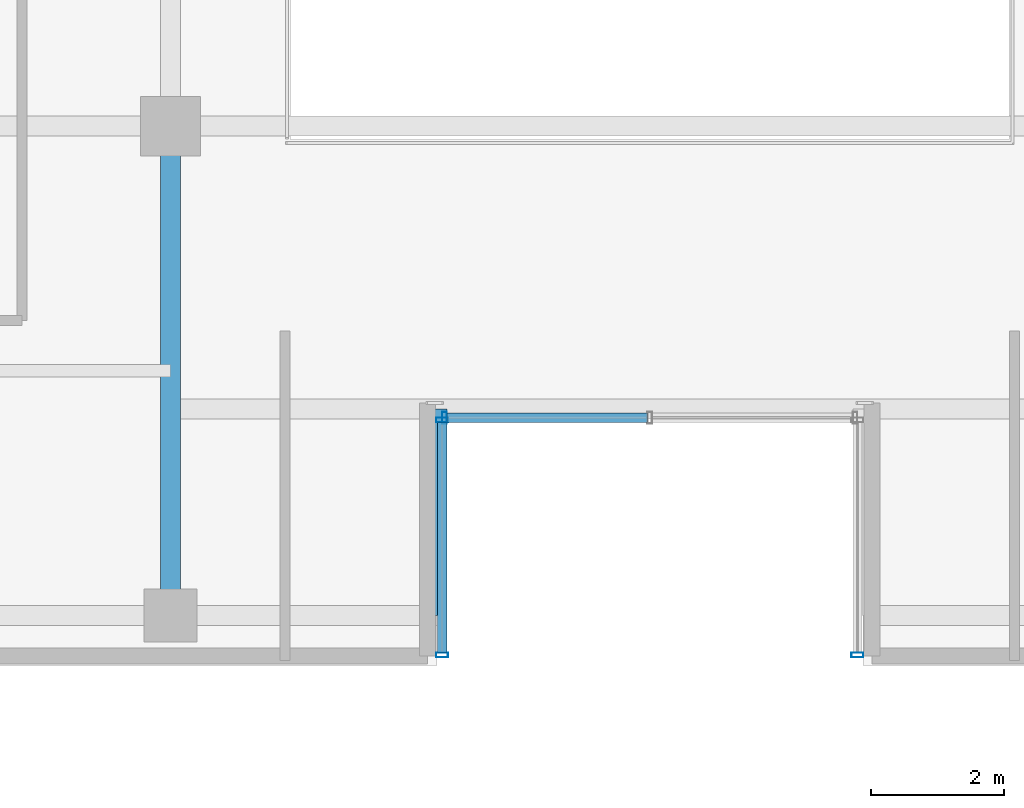
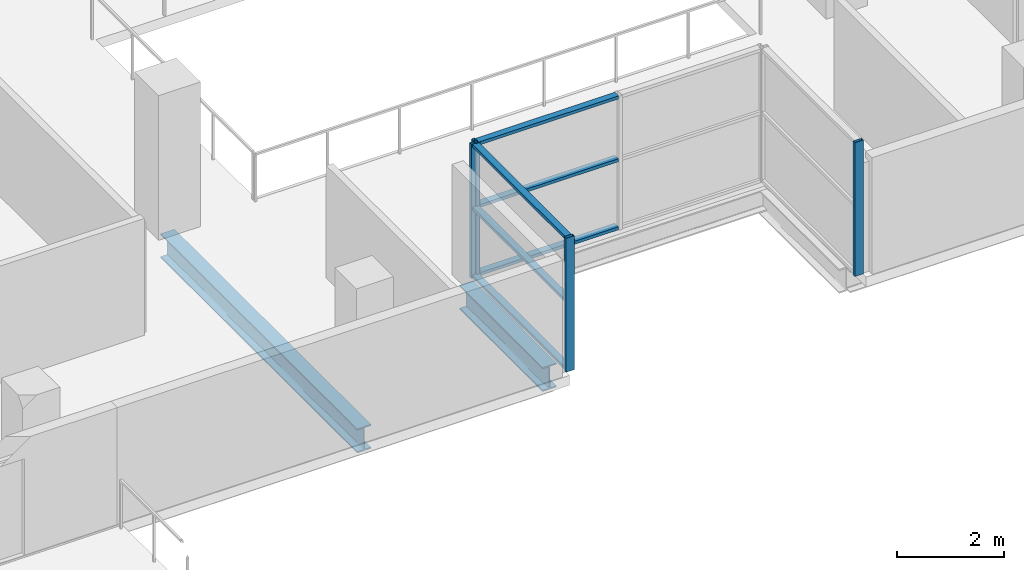
# One storey, part 6 of 27: 10 members, 2 beams, 3 elements without a shape of their own.
"""IFC4 building model written with IfcOpenShell, lengths in metres."""

from ifc_helpers import new_model, si_unit, direction, frame, origin, origin_2d, place, context, subcontext, project, spatial, hollow_rectangle, i_section, extrude, source, transform, mapped, material, layer, layer_set, material_profile, profile_set, type_object, element, aggregate, save


model = new_model("IFC4")

# Units and contexts
model_context = context("Model", 3, precision=1e-05, world=origin(), true_north=direction((0.0, 1.0)))
body_context = subcontext(model_context, "Body", "Model", "MODEL_VIEW")
ifc_project = project(units=[si_unit("LENGTHUNIT", "METRE"), si_unit("AREAUNIT", "SQUARE_METRE"), si_unit("VOLUMEUNIT", "CUBIC_METRE"), si_unit("PLANEANGLEUNIT", "RADIAN"), si_unit("MASSUNIT", "GRAM", prefix="KILO")], contexts=[model_context])

# Site, building, storey
site_placement = place(None, origin())
site = spatial("IfcSite", under=ifc_project, at=site_placement, CompositionType="ELEMENT")
building_placement = place(site_placement, origin())
building = spatial("IfcBuilding", under=site, at=building_placement, Name="Zarnakvel Exchange Tower", CompositionType="ELEMENT")
storey_placement = place(building_placement, frame((0.0, 0.0, 113.199951171875)))
storey = spatial("IfcBuildingStorey", under=building, at=storey_placement, Name="L31", CompositionType="ELEMENT", Elevation=113.199951171875)

# Beams
ifc_material_1 = material(Name="Steel S355", Category="steel")
ifc_material_profile_1 = material_profile(ifc_material_1, i_section(OverallWidth=0.300048828125, OverallDepth=0.550048828125, WebThickness=0.014892578125, FlangeThickness=0.029052734375, FilletRadius=0.027099609375, at=origin_2d()))
ifc_profile_set_1 = profile_set([ifc_material_profile_1], Name="Steel S355")
beam_type = type_object("IfcBeamType", Name="G-05", PredefinedType="BEAM", material=ifc_profile_set_1)
beam_1_placement = place(storey_placement, frame((-3.199951171875, -16.949951171875, -0.5), z_axis=(0.0, 1.0, 0.0), x_axis=(-1.0, 0.0, 0.0)))
element("IfcBeam", 1, at=beam_1_placement, inside=storey, type_object=beam_type, Name="L31 South Slot West Cheek Beam", PredefinedType="BEAM", context=body_context, shape_type="SweptSolid", body=[
    extrude(i_section(OverallWidth=0.300048828125, OverallDepth=0.550048828125, WebThickness=0.014892578125, FlangeThickness=0.029052734375, FilletRadius=0.027099609375, at=origin_2d()), origin(), (0.0, 0.0, 1.0), 3.099853515625),
])
beam_2_placement = place(storey_placement, frame((-7.199951171875, -16.949951171875, -0.5), z_axis=(0.0, 1.0, 0.0), x_axis=(-1.0, 0.0, 0.0)))
element("IfcBeam", 2, at=beam_2_placement, inside=storey, type_object=beam_type, Name="L31 Tower N-S Frame Beam", PredefinedType="BEAM", context=body_context, shape_type="SweptSolid", body=[
    extrude(i_section(OverallWidth=0.300048828125, OverallDepth=0.550048828125, WebThickness=0.014892578125, FlangeThickness=0.029052734375, FilletRadius=0.027099609375, at=origin_2d()), origin(), (0.0, 0.0, 1.0), 7.349853515625),
])

# Curtain wall, members
ifc_material_2 = material(Name="Architectural Bronze Anodised Aluminium", Category="aluminium")
ifc_layer = layer(ifc_material_2, 0.179931640625)
ifc_layer_set = layer_set([ifc_layer], Name="Architectural Bronze Anodised Aluminium")
curtain_wall_type = type_object("IfcCurtainWallType", Name="CW-05", PredefinedType="NOTDEFINED", material=ifc_layer_set)
curtain_wall_1_placement = place(storey_placement, origin())
curtain_wall_1 = element("IfcCurtainWall", 3, at=curtain_wall_1_placement, inside=storey, type_object=curtain_wall_type, Name="L31 Curtain Wall CW-L31-SLW (CW-05)", PredefinedType="NOTDEFINED")
ifc_material_profile_2 = material_profile(ifc_material_2, hollow_rectangle(XDim=0.139892578125, YDim=0.070068359375, WallThickness=0.00390625, at=origin_2d()))
ifc_profile_set_2 = profile_set([ifc_material_profile_2], Name="Architectural Bronze Anodised Aluminium")
member_type_1 = type_object("IfcMemberType", Name="CWT-05", PredefinedType="USERDEFINED", material=ifc_profile_set_2)
shared_shape_1 = source(origin(), body_context, "Body", "SweptSolid", [
    extrude(hollow_rectangle(XDim=0.139892578125, YDim=0.070068359375, WallThickness=0.00390625, at=origin_2d()), origin(), (0.0, 0.0, 1.0), 3.4599609375),
])
member_1_placement = place(storey_placement, frame((-3.1201171875, -17.510009765625, 0.03515625), z_axis=(0.0, 1.0, 0.0), x_axis=(-1.0, 0.0, 0.0)))
member_1 = element("IfcMember", 4, at=member_1_placement, type_object=member_type_1, Name="CW-05 transom 1.1", ObjectType="TRANSOM", PredefinedType="USERDEFINED", context=body_context, shape_type="MappedRepresentation", body=[
    mapped(shared_shape_1, transform((0.0, 0.0, 0.0), x_axis=(1.0, 0.0, 0.0), y_axis=(0.0, 1.0, 0.0), z_axis=(0.0, 0.0, 1.0), scale=1.0)),
])
member_2_placement = place(storey_placement, frame((-3.1201171875, -17.510009765625, 1.588623046875), z_axis=(0.0, 1.0, 0.0), x_axis=(-1.0, 0.0, 0.0)))
member_2 = element("IfcMember", 5, at=member_2_placement, type_object=member_type_1, Name="CW-05 transom 1.2", ObjectType="TRANSOM", PredefinedType="USERDEFINED", context=body_context, shape_type="MappedRepresentation", body=[
    mapped(shared_shape_1, transform((0.0, 0.0, 0.0), x_axis=(1.0, 0.0, 0.0), y_axis=(0.0, 1.0, 0.0), z_axis=(0.0, 0.0, 1.0), scale=1.0)),
])
member_3_placement = place(storey_placement, frame((-3.1201171875, -17.510009765625, 3.02001953125), z_axis=(0.0, 1.0, 0.0), x_axis=(-1.0, 0.0, 0.0)))
member_3 = element("IfcMember", 6, at=member_3_placement, type_object=member_type_1, Name="CW-05 transom 1.3", ObjectType="TRANSOM", PredefinedType="USERDEFINED", context=body_context, shape_type="MappedRepresentation", body=[
    mapped(shared_shape_1, transform((0.0, 0.0, 0.0), x_axis=(1.0, 0.0, 0.0), y_axis=(0.0, 1.0, 0.0), z_axis=(0.0, 0.0, 1.0), scale=1.0)),
])

curtain_wall_2_placement = place(storey_placement, origin())
curtain_wall_2 = element("IfcCurtainWall", 7, at=curtain_wall_2_placement, inside=storey, type_object=curtain_wall_type, Name="L31 Curtain Wall CW-L31-SLB (CW-05)", PredefinedType="NOTDEFINED")
shared_shape_2 = source(origin(), body_context, "Body", "SweptSolid", [
    extrude(hollow_rectangle(XDim=0.139892578125, YDim=0.070068359375, WallThickness=0.00390625, at=origin_2d()), origin(), (0.0, 0.0, 1.0), 3.01513671875),
])
member_4_placement = place(storey_placement, frame((-3.050048828125, -13.97998046875, 0.03515625), z_axis=(1.0, 0.0, 0.0), x_axis=(0.0, 1.0, 0.0)))
member_4 = element("IfcMember", 8, at=member_4_placement, type_object=member_type_1, Name="CW-05 transom 1.1", ObjectType="TRANSOM", PredefinedType="USERDEFINED", context=body_context, shape_type="MappedRepresentation", body=[
    mapped(shared_shape_2, transform((0.0, 0.0, 0.0), x_axis=(1.0, 0.0, 0.0), y_axis=(0.0, 1.0, 0.0), z_axis=(0.0, 0.0, 1.0), scale=1.0)),
])
member_5_placement = place(storey_placement, frame((-3.050048828125, -13.97998046875, 1.588623046875), z_axis=(1.0, 0.0, 0.0), x_axis=(0.0, 1.0, 0.0)))
member_5 = element("IfcMember", 9, at=member_5_placement, type_object=member_type_1, Name="CW-05 transom 1.2", ObjectType="TRANSOM", PredefinedType="USERDEFINED", context=body_context, shape_type="MappedRepresentation", body=[
    mapped(shared_shape_2, transform((0.0, 0.0, 0.0), x_axis=(1.0, 0.0, 0.0), y_axis=(0.0, 1.0, 0.0), z_axis=(0.0, 0.0, 1.0), scale=1.0)),
])
member_6_placement = place(storey_placement, frame((-3.050048828125, -13.97998046875, 3.02001953125), z_axis=(1.0, 0.0, 0.0), x_axis=(0.0, 1.0, 0.0)))
member_6 = element("IfcMember", 10, at=member_6_placement, type_object=member_type_1, Name="CW-05 transom 1.3", ObjectType="TRANSOM", PredefinedType="USERDEFINED", context=body_context, shape_type="MappedRepresentation", body=[
    mapped(shared_shape_2, transform((0.0, 0.0, 0.0), x_axis=(1.0, 0.0, 0.0), y_axis=(0.0, 1.0, 0.0), z_axis=(0.0, 0.0, 1.0), scale=1.0)),
])

# Member
ifc_material_profile_3 = material_profile(ifc_material_2, hollow_rectangle(XDim=0.179931640625, YDim=0.070068359375, WallThickness=0.00390625, at=origin_2d()))
ifc_profile_set_3 = profile_set([ifc_material_profile_3], Name="Architectural Bronze Anodised Aluminium")
member_type_2 = type_object("IfcMemberType", Name="CWM-05", PredefinedType="MULLION", material=ifc_profile_set_3)
shared_shape_3 = source(origin(), body_context, "Body", "SweptSolid", [
    extrude(hollow_rectangle(XDim=0.179931640625, YDim=0.070068359375, WallThickness=0.00390625, at=origin_2d()), origin(), (0.0, 0.0, 1.0), 3.054931640625),
])
member_7_placement = place(storey_placement, frame((-3.1201171875, -17.544921875, 0.0), z_axis=(0.0, 0.0, 1.0), x_axis=(-1.0, 0.0, 0.0)))
member_7 = element("IfcMember", 11, at=member_7_placement, type_object=member_type_2, Name="CW-05 mullion 1", PredefinedType="MULLION", context=body_context, shape_type="MappedRepresentation", body=[
    mapped(shared_shape_3, transform((0.0, 0.0, 0.0), x_axis=(1.0, 0.0, 0.0), y_axis=(0.0, 1.0, 0.0), z_axis=(0.0, 0.0, 1.0), scale=1.0)),
])

member_8_placement = place(storey_placement, frame((-3.1201171875, -14.014892578125, 0.0), z_axis=(0.0, 0.0, 1.0), x_axis=(-1.0, 0.0, 0.0)))
member_8 = element("IfcMember", 12, at=member_8_placement, type_object=member_type_2, Name="CW-05 mullion 2", PredefinedType="MULLION", context=body_context, shape_type="MappedRepresentation", body=[
    mapped(shared_shape_3, transform((0.0, 0.0, 0.0), x_axis=(1.0, 0.0, 0.0), y_axis=(0.0, 1.0, 0.0), z_axis=(0.0, 0.0, 1.0), scale=1.0)),
])

aggregate(curtain_wall_1, [member_7, member_8, member_1, member_2, member_3])

member_9_placement = place(storey_placement, frame((-3.0849609375, -13.97998046875, 0.0), z_axis=(0.0, 0.0, 1.0), x_axis=(0.0, 1.0, 0.0)))
member_9 = element("IfcMember", 13, at=member_9_placement, type_object=member_type_2, Name="CW-05 mullion 1", PredefinedType="MULLION", context=body_context, shape_type="MappedRepresentation", body=[
    mapped(shared_shape_3, transform((0.0, 0.0, 0.0), x_axis=(1.0, 0.0, 0.0), y_axis=(0.0, 1.0, 0.0), z_axis=(0.0, 0.0, 1.0), scale=1.0)),
])

aggregate(curtain_wall_2, [member_9, member_4, member_5, member_6])

# Curtain wall, member
curtain_wall_3_placement = place(storey_placement, origin())
curtain_wall_3 = element("IfcCurtainWall", 14, at=curtain_wall_3_placement, inside=storey, type_object=curtain_wall_type, Name="L31 Curtain Wall CW-L31-SLE (CW-05)", PredefinedType="NOTDEFINED")
member_10_placement = place(storey_placement, frame((3.1201171875, -17.544921875, 0.0), z_axis=(0.0, 0.0, 1.0), x_axis=(1.0, 0.0, 0.0)))
member_10 = element("IfcMember", 15, at=member_10_placement, type_object=member_type_2, Name="CW-05 mullion 2", PredefinedType="MULLION", context=body_context, shape_type="MappedRepresentation", body=[
    mapped(shared_shape_3, transform((0.0, 0.0, 0.0), x_axis=(1.0, 0.0, 0.0), y_axis=(0.0, 1.0, 0.0), z_axis=(0.0, 0.0, 1.0), scale=1.0)),
])
aggregate(curtain_wall_3, [member_10])

save(model, "model.ifc")
